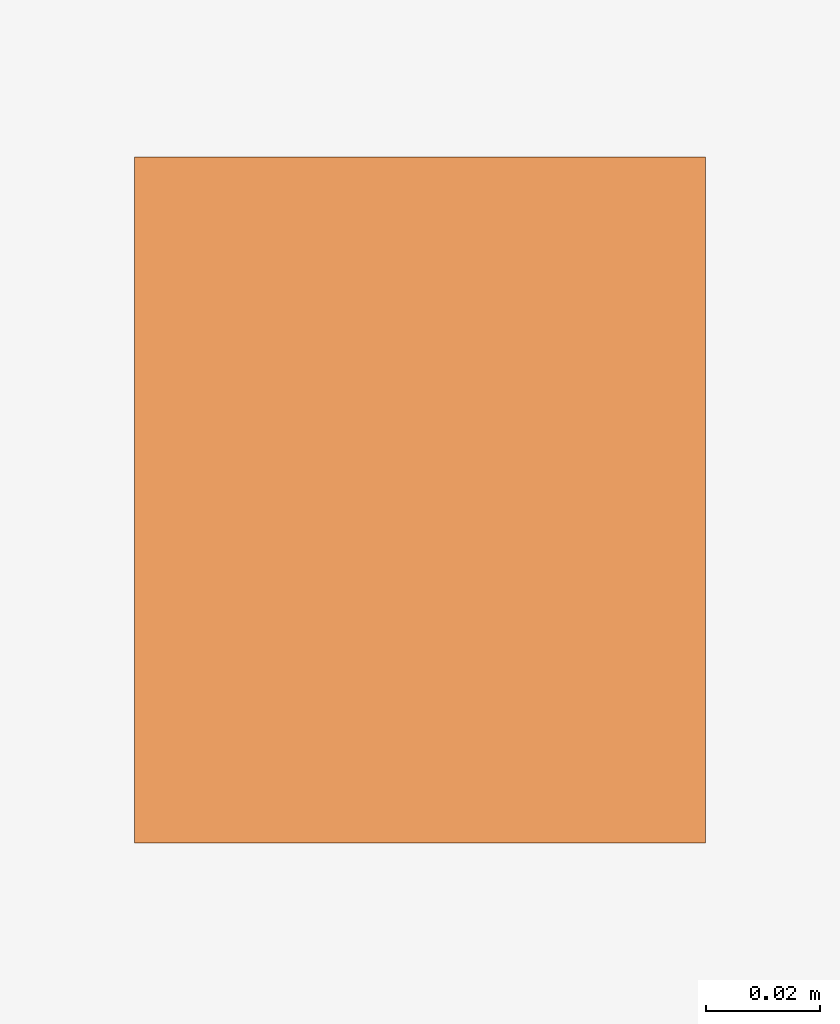
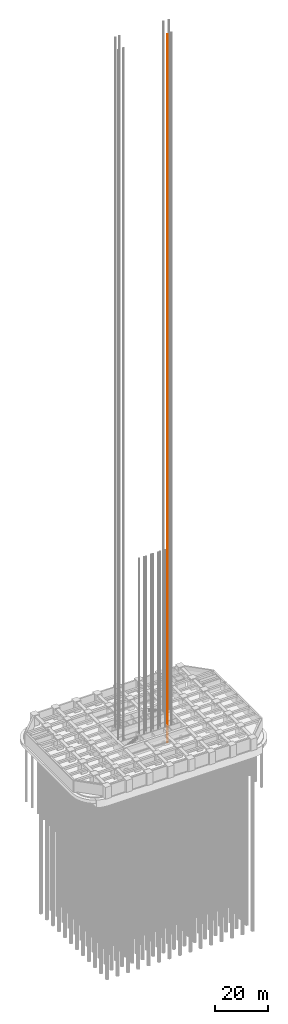
# One storey, part 21 of 24: 1 proxy.
"""IFC4 building model written with IfcOpenShell, lengths in metres."""

from ifc_helpers import new_model, si_unit, direction, frame, origin, origin_2d, place, context, subcontext, project, spatial, rectangle, extrude, element, save


model = new_model("IFC4")

# Units and contexts
model_context = context("Model", 3, precision=1e-05, world=origin(), true_north=direction((0.0, 1.0)))
body_context = subcontext(model_context, "Body", "Model", "MODEL_VIEW")
ifc_project = project(units=[si_unit("LENGTHUNIT", "METRE"), si_unit("AREAUNIT", "SQUARE_METRE"), si_unit("VOLUMEUNIT", "CUBIC_METRE"), si_unit("PLANEANGLEUNIT", "RADIAN"), si_unit("MASSUNIT", "GRAM", prefix="KILO")], contexts=[model_context])

# Site, building, storey
site_placement = place(None, origin())
site = spatial("IfcSite", under=ifc_project, at=site_placement, CompositionType="ELEMENT")
building_placement = place(site_placement, origin())
building = spatial("IfcBuilding", under=site, at=building_placement, Name="Zorevar Civic Tower", CompositionType="ELEMENT")
storey_placement = place(building_placement, frame((0.0, 0.0, -5.0)))
storey = spatial("IfcBuildingStorey", under=building, at=storey_placement, Name="B1", CompositionType="ELEMENT", Elevation=-5.0)

# Proxy
proxy_placement = place(storey_placement, frame((39.60009765625, 23.10009765625, -3.349853515625), z_axis=(0.0, 0.0, 1.0), x_axis=(1.0, 0.0, 0.0)))
element("IfcBuildingElementProxy", 1, at=proxy_placement, inside=storey, Name="Service lift SL1 guide rail 1", PredefinedType="NOTDEFINED", context=body_context, shape_type="SweptSolid", body=[
    extrude(rectangle(XDim=0.10009765625, YDim=0.1201171875, at=origin_2d()), origin(), (0.0, 0.0, 1.0), 323.64990234375),
])

save(model, "model.ifc")
